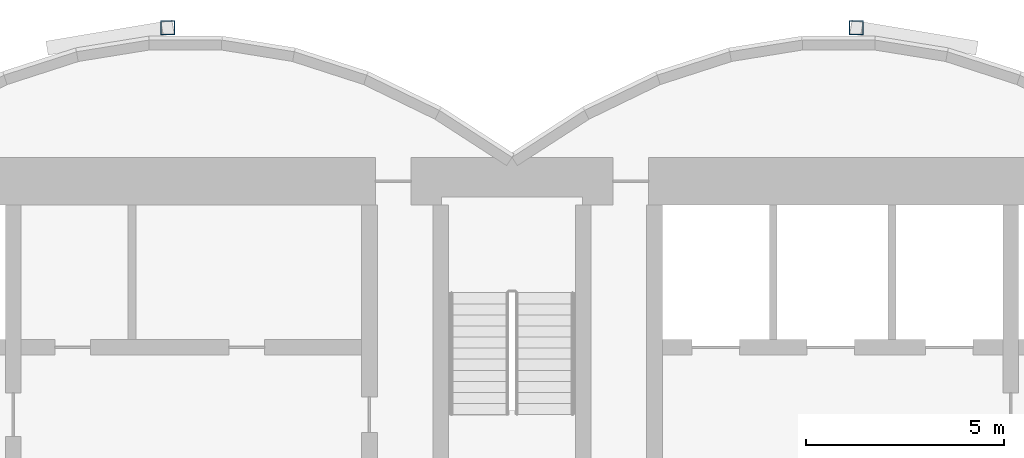
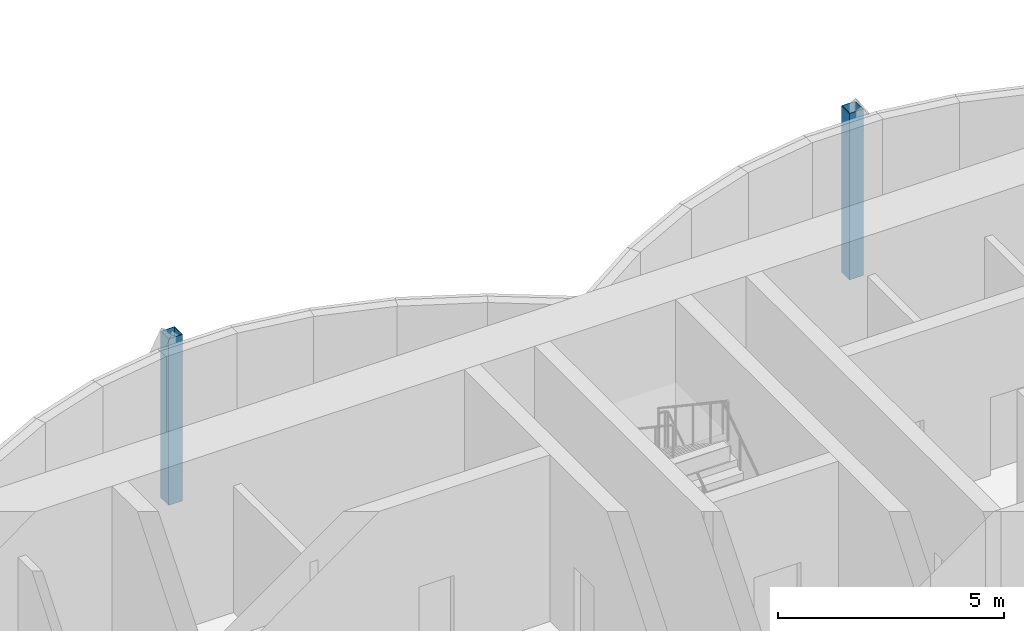
# One storey, part 3 of 18: 2 columns.
"""IFC4 building model written with IfcOpenShell, lengths in metres."""

from ifc_helpers import new_model, si_unit, direction, frame, origin, origin_2d, place, context, subcontext, project, spatial, hollow_rectangle, extrude, material, material_profile, profile_set, type_object, element, save


model = new_model("IFC4")

# Units and contexts
model_context = context("Model", 3, precision=1e-05, world=origin(), true_north=direction((0.0, 1.0)))
body_context = subcontext(model_context, "Body", "Model", "MODEL_VIEW")
ifc_project = project(units=[si_unit("LENGTHUNIT", "METRE"), si_unit("AREAUNIT", "SQUARE_METRE"), si_unit("VOLUMEUNIT", "CUBIC_METRE"), si_unit("PLANEANGLEUNIT", "RADIAN"), si_unit("MASSUNIT", "GRAM", prefix="KILO")], contexts=[model_context])

# Site, building, storey
site_placement = place(None, origin())
site = spatial("IfcSite", under=ifc_project, at=site_placement, CompositionType="ELEMENT")
building_placement = place(site_placement, origin())
building = spatial("IfcBuilding", under=site, at=building_placement, Name="Bicima Exchange Tower", CompositionType="ELEMENT")
storey_placement = place(building_placement, frame((0.0, 0.0, 302.0)))
storey = spatial("IfcBuildingStorey", under=building, at=storey_placement, Name="L68", CompositionType="ELEMENT", Elevation=302.0)

# Columns
ifc_material = material(Name="Steel ASTM A572 Gr 50", Category="steel")
ifc_material_profile = material_profile(ifc_material, hollow_rectangle(XDim=0.355712890625, YDim=0.355712890625, WallThickness=0.01171875, at=origin_2d()))
ifc_profile_set = profile_set([ifc_material_profile], Name="Steel ASTM A572 Gr 50")
column_type = type_object("IfcColumnType", Name="Rear pilaster HSS14x14x1/2", PredefinedType="COLUMN", material=ifc_profile_set)
for number, where, z_axis, x_axis, name in (
    (1, (-8.699951171875, 3.26904296875, 0.0), (0.0, 0.0, 1.0), (1.0, 0.0, 0.0), "Rear pilaster rexo-8.7r"),
    (2, (8.699951171875, 3.26904296875, 0.0), (0.0, 0.0, 1.0), (1.0, 0.0, 0.0), "Rear pilaster rexo+8.7r"),
):
    element("IfcColumn", number, at=place(storey_placement, frame(where, z_axis=z_axis, x_axis=x_axis)), inside=storey, type_object=column_type, Name=name, PredefinedType="COLUMN", context=body_context, shape_type="SweptSolid", body=[
        extrude(hollow_rectangle(XDim=0.355712890625, YDim=0.355712890625, WallThickness=0.01171875, at=origin_2d()), origin(), (0.0, 0.0, 1.0), 4.5),
    ])

save(model, "model.ifc")
